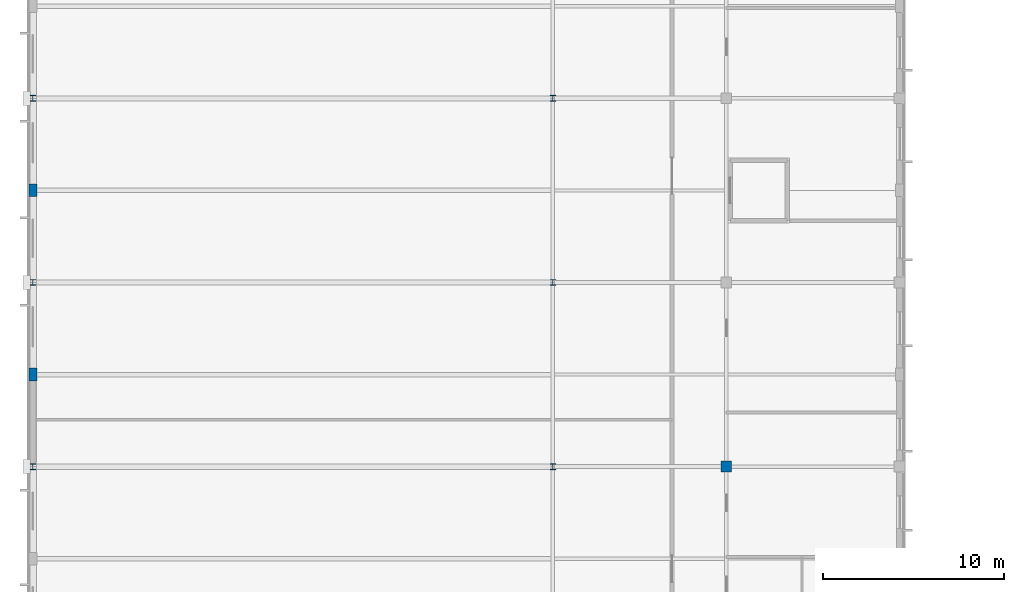
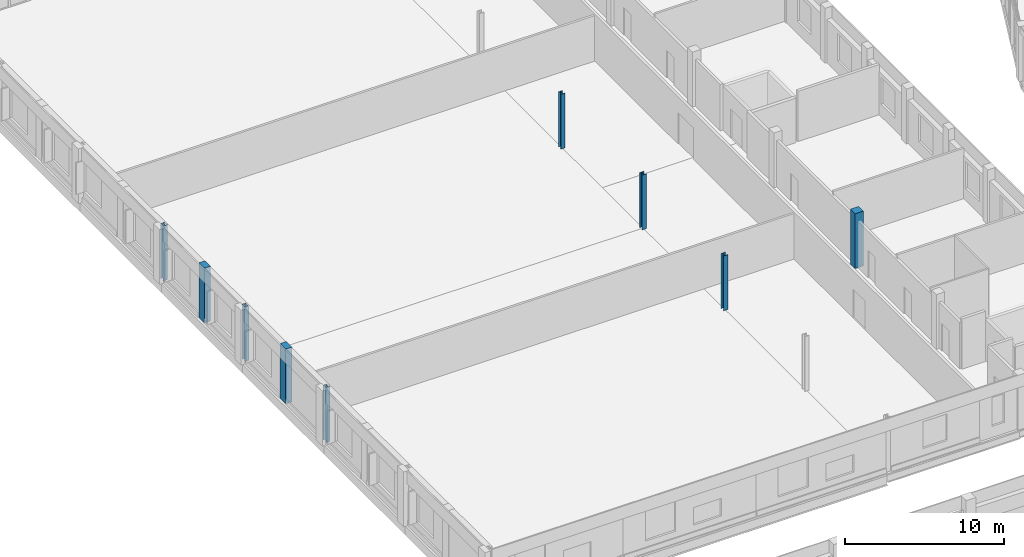
# One storey, part 6 of 185: 9 columns.
"""IFC4 building model written with IfcOpenShell, lengths in metres."""

import ifcopenshell
import ifcopenshell.guid

model = None  # the IFC model being written
_history = None  # IfcOwnerHistory: only IFC2X3 demands one
_inside = {}  # id of a spatial element -> (the spatial element, [elements in it])
_under = {}  # id of a project, library or spatial element -> (it, [spatial elements below it])
_declared = {}  # id of a project -> (the project, [libraries it declares])
_typed = {}  # id of a type object -> (the type object, [elements of that type])
_made_of = {}  # id of a material, layer set ... -> (it, [elements and type objects made of it])


def new_model(schema):
    """Start an empty IFC model of exactly this schema.

    Asked for "IFC4X3", IfcOpenShell would pick the latest addendum, in which some entities
    have other attributes; the version numbers below select the first issue.
    IFC2X3 requires an IfcOwnerHistory on every rooted entity: one is made here for all.
    """
    global model, _history
    if schema == "IFC4X3":
        model = ifcopenshell.file(schema_version=(4, 3, 0, 0))
    else:
        model = ifcopenshell.file(schema=schema)
    _inside.clear()
    _under.clear()
    _declared.clear()
    _typed.clear()
    _made_of.clear()
    _history = None
    if model.schema == "IFC2X3":
        org = make("IfcOrganization", Name="unknown")
        user = make(
            "IfcPersonAndOrganization",
            ThePerson=make("IfcPerson", FamilyName="unknown"),
            TheOrganization=org,
        )
        app = make(
            "IfcApplication",
            ApplicationDeveloper=org,
            Version="unknown",
            ApplicationFullName="unknown",
            ApplicationIdentifier="unknown",
        )
        _history = make(
            "IfcOwnerHistory",
            OwningUser=user,
            OwningApplication=app,
            ChangeAction="ADDED",
            CreationDate=0,
        )
    return model


def make(cls, **values):
    """One entity of the class cls with the attributes given. An attribute that is None is left unset."""
    return model.create_entity(
        cls, **{name: value for name, value in values.items() if value is not None}
    )


def rooted(cls, **values):
    """An entity with a GlobalId (a new one), such as an element, a storey or a relation."""
    return make(cls, GlobalId=ifcopenshell.guid.new(), OwnerHistory=_history, **values)


def si_unit(unit_type, name, prefix=None):
    """IfcSIUnit, for example si_unit("LENGTHUNIT", "METRE", prefix="MILLI")."""
    return make("IfcSIUnit", UnitType=unit_type, Prefix=prefix, Name=name)


def assignment(units):
    """IfcUnitAssignment: the units of a project."""
    return None if units is None else make("IfcUnitAssignment", Units=units)


def point(xyz):
    """IfcCartesianPoint."""
    return None if xyz is None else make("IfcCartesianPoint", Coordinates=xyz)


def direction(xyz):
    """IfcDirection."""
    return None if xyz is None else make("IfcDirection", DirectionRatios=xyz)


def frame(location, z_axis=None, x_axis=None):
    """IfcAxis2Placement3D, a coordinate frame: its origin and axes. An axis left out is left unset."""
    return make(
        "IfcAxis2Placement3D",
        Location=point(location),
        Axis=direction(z_axis),
        RefDirection=direction(x_axis),
    )


def frame_2d(location, x_axis=None):
    """IfcAxis2Placement2D, a coordinate frame in the plane: its origin and x axis."""
    return make(
        "IfcAxis2Placement2D", Location=point(location), RefDirection=direction(x_axis)
    )


def origin():
    """The frame at (0, 0, 0) with its axes left unset."""
    return frame((0.0, 0.0, 0.0))


def origin_2d():
    """The frame at (0, 0) in the plane with its x axis left unset."""
    return frame_2d((0.0, 0.0))


def place(relative_to, where):
    """IfcLocalPlacement: puts the frame where relative to a parent placement (None: the world)."""
    return make(
        "IfcLocalPlacement", PlacementRelTo=relative_to, RelativePlacement=where
    )


def context(
    kind, dimensions, precision=None, world=None, true_north=None, identifier=None
):
    """IfcGeometricRepresentationContext, for example the 3D "Model" context."""
    return make(
        "IfcGeometricRepresentationContext",
        ContextIdentifier=identifier,
        ContextType=kind,
        CoordinateSpaceDimension=dimensions,
        Precision=precision,
        WorldCoordinateSystem=world,
        TrueNorth=true_north,
    )


def subcontext(parent, identifier, kind, view, scale=None):
    """IfcGeometricRepresentationSubContext, for example "Body" below "Model"."""
    return make(
        "IfcGeometricRepresentationSubContext",
        ContextIdentifier=identifier,
        ContextType=kind,
        ParentContext=parent,
        TargetScale=scale,
        TargetView=view,
    )


def project(units=None, contexts=None):
    """IfcProject with its units and contexts."""
    return rooted(
        "IfcProject",
        Name="project",
        RepresentationContexts=contexts,
        UnitsInContext=assignment(units),
    )


def spatial(cls, under=None, at=None, **own):
    """A site, building, storey or space (cls), placed at a placement, below another one or the project."""
    s = rooted(cls, ObjectPlacement=at, **own)
    if under is not None:
        _under.setdefault(under.id(), (under, []))[1].append(s)
    return s


def profile(cls, at=None, kind="AREA", **sizes):
    """A parametric profile (cls). Its sizes go by their IFC names, for example OverallWidth=200.0."""
    return make(cls, ProfileType=kind, Position=at, **sizes)


def rectangle(**sizes):
    """IfcRectangleProfileDef."""
    return profile("IfcRectangleProfileDef", **sizes)


def i_section(**sizes):
    """IfcIShapeProfileDef."""
    return profile("IfcIShapeProfileDef", **sizes)


def extrude(swept, where, along, depth):
    """IfcExtrudedAreaSolid: the profile swept, set in the frame where, extruded along a direction by depth."""
    return make(
        "IfcExtrudedAreaSolid",
        SweptArea=swept,
        Position=where,
        ExtrudedDirection=direction(along),
        Depth=depth,
    )


def shape(context_of_items, identifier, shape_type, items):
    """IfcShapeRepresentation: the items that make up one representation, for example the "Body"."""
    return make(
        "IfcShapeRepresentation",
        ContextOfItems=context_of_items,
        RepresentationIdentifier=identifier,
        RepresentationType=shape_type,
        Items=items,
    )


def material(Name=None, Category=None):
    """IfcMaterial."""
    return make("IfcMaterial", Name=Name, Category=Category)


def material_profile(
    of_material, cross_section, Name=None, Category=None, Priority=None
):
    """IfcMaterialProfile: a cross section and its material."""
    return make(
        "IfcMaterialProfile",
        Name=Name,
        Material=of_material,
        Profile=cross_section,
        Priority=Priority,
        Category=Category,
    )


def profile_set(profiles, Name=None, composite=None):
    """IfcMaterialProfileSet."""
    return make(
        "IfcMaterialProfileSet",
        Name=Name,
        MaterialProfiles=profiles,
        CompositeProfile=composite,
    )


def made_of(thing, what):
    """Note that an element or type object is made of a material, layer set ...; save() writes the relation."""
    if what is not None:
        _made_of.setdefault(what.id(), (what, []))[1].append(thing)
    return thing


def type_object(cls, material=None, **own):
    """A type object (cls), such as IfcWallType, which elements share."""
    return made_of(rooted(cls, **own), material)


def element(
    cls,
    number,
    at=None,
    inside=None,
    cuts=None,
    type_object=None,
    material=None,
    context=None,
    identifier="Body",
    shape_type=None,
    held_by="IfcProductDefinitionShape",
    body=None,
    shapes=None,
    **own,
):
    """One element of the class cls, such as IfcWall. Its Tag is "e" and its number.

    at: its placement. inside: the storey or other place that contains it. cuts: it is an
    opening in that element (IfcRelVoidsElement). A single representation is given by context,
    identifier, shape_type and body (its items); several are given by shapes. held_by: the class
    of the entity that holds the representations. save() writes the other relations.
    """
    e = rooted(cls, Tag="e%d" % number, ObjectPlacement=at, **own)
    if body is not None:
        shapes = [shape(context, identifier, shape_type, body)]
    if shapes is not None:
        e.Representation = make(held_by, Representations=shapes)
    if inside is not None:
        _inside.setdefault(inside.id(), (inside, []))[1].append(e)
    if cuts is not None:
        rooted(
            "IfcRelVoidsElement", RelatingBuildingElement=cuts, RelatedOpeningElement=e
        )
    if type_object is not None:
        _typed.setdefault(type_object.id(), (type_object, []))[1].append(e)
    return made_of(e, material)


def aggregate(whole, parts):
    """IfcRelAggregates: a whole, such as a stair, and the parts it consists of."""
    return rooted("IfcRelAggregates", RelatingObject=whole, RelatedObjects=parts)


def save(model, path):
    """Write the relations noted so far, then the file.

    IfcRelAggregates (storeys below a building ...), IfcRelContainedInSpatialStructure (elements
    in a storey), IfcRelDefinesByType, IfcRelAssociatesMaterial and IfcRelDeclares: one each for
    every whole, place, type object, material and project.
    """
    for whole, parts in _under.values():
        aggregate(whole, parts)
    for where, things in _inside.values():
        rooted(
            "IfcRelContainedInSpatialStructure",
            RelatedElements=things,
            RelatingStructure=where,
        )
    for kind, things in _typed.values():
        rooted("IfcRelDefinesByType", RelatedObjects=things, RelatingType=kind)
    for what, things in _made_of.values():
        rooted("IfcRelAssociatesMaterial", RelatedObjects=things, RelatingMaterial=what)
    for by, libraries in _declared.values():
        rooted("IfcRelDeclares", RelatingContext=by, RelatedDefinitions=libraries)
    model.write(path)


model = new_model("IFC4")

# Units and contexts
model_context = context("Model", 3, precision=1e-05, world=origin(), true_north=direction((0.0, 1.0)))
body_context = subcontext(model_context, "Body", "Model", "MODEL_VIEW")
ifc_project = project(units=[si_unit("LENGTHUNIT", "METRE"), si_unit("AREAUNIT", "SQUARE_METRE"), si_unit("VOLUMEUNIT", "CUBIC_METRE"), si_unit("PLANEANGLEUNIT", "RADIAN"), si_unit("MASSUNIT", "GRAM", prefix="KILO")], contexts=[model_context])

# Site, building, storey
site_placement = place(None, origin())
site = spatial("IfcSite", under=ifc_project, at=site_placement, CompositionType="ELEMENT")
building_placement = place(site_placement, origin())
building = spatial("IfcBuilding", under=site, at=building_placement, Name="Vondelvale Polytechnic", CompositionType="ELEMENT")
storey_placement = place(building_placement, frame((0.0, 0.0, 9.60009765625)))
storey = spatial("IfcBuildingStorey", under=building, at=storey_placement, Name="L02", CompositionType="ELEMENT", Elevation=9.60009765625)

# Columns
ifc_material_1 = material(Name="Concrete N50 (f'c = 50 MPa)", Category="concrete")
ifc_material_profile_1 = material_profile(ifc_material_1, rectangle(XDim=0.60009765625, YDim=0.60009765625, at=origin_2d()), Name="RC-COL-600x600")
ifc_profile_set_1 = profile_set([ifc_material_profile_1], Name="Concrete N50 (f'c = 50 MPa)")
column_type_1 = type_object("IfcColumnType", Name="COL-RC600", PredefinedType="COLUMN", material=ifc_profile_set_1)
column_placement = place(storey_placement, frame((38.39990234375, 71.39990234375, 0.0), z_axis=(0.0, 0.0, 1.0), x_axis=(1.0, 0.0, 0.0)))
element("IfcColumn", 1, at=column_placement, inside=storey, type_object=column_type_1, Name="L02 workshop column (38.4,71.4)", PredefinedType="COLUMN", context=body_context, shape_type="SweptSolid", body=[
    extrude(rectangle(XDim=0.60009765625, YDim=0.60009765625, at=origin_2d()), origin(), (0.0, 0.0, 1.0), 4.199951171875),
])
ifc_material_2 = material(Name="Steel 300PLUS (fy = 300 MPa)", Category="steel")
ifc_material_profile_2 = material_profile(ifc_material_2, i_section(OverallWidth=0.31103515625, OverallDepth=0.326904296875, WebThickness=0.015625, FlangeThickness=0.02490234375, FilletRadius=0.0166015625, at=origin_2d()), Name="310UC158")
ifc_profile_set_2 = profile_set([ifc_material_profile_2], Name="Steel 300PLUS (fy = 300 MPa)")
column_type_2 = type_object("IfcColumnType", Name="COL-UC310H", PredefinedType="COLUMN", material=ifc_profile_set_2)
for number, where, z_axis, x_axis, name in (
    (2, (0.0, 71.39990234375, 0.0), (0.0, 0.0, 1.0), (1.0, 0.0, 0.0), "L02 workshop column (0.0,71.4)"),
    (3, (28.800048828125, 71.39990234375, 0.0), (0.0, 0.0, 1.0), (1.0, 0.0, 0.0), "L02 workshop column (28.8,71.4)"),
    (4, (0.0, 81.60009765625, 0.0), (0.0, 0.0, 1.0), (1.0, 0.0, 0.0), "L02 workshop column (0.0,81.6)"),
    (5, (28.800048828125, 81.60009765625, 0.0), (0.0, 0.0, 1.0), (1.0, 0.0, 0.0), "L02 workshop column (28.8,81.6)"),
    (6, (0.0, 91.800048828125, 0.0), (0.0, 0.0, 1.0), (1.0, 0.0, 0.0), "L02 workshop column (0.0,91.8)"),
    (7, (28.800048828125, 91.800048828125, 0.0), (0.0, 0.0, 1.0), (1.0, 0.0, 0.0), "L02 workshop column (28.8,91.8)"),
):
    element("IfcColumn", number, at=place(storey_placement, frame(where, z_axis=z_axis, x_axis=x_axis)), inside=storey, type_object=column_type_2, Name=name, PredefinedType="COLUMN", context=body_context, shape_type="SweptSolid", body=[
        extrude(i_section(OverallWidth=0.31103515625, OverallDepth=0.326904296875, WebThickness=0.015625, FlangeThickness=0.02490234375, FilletRadius=0.0166015625, at=origin_2d()), origin(), (0.0, 0.0, 1.0), 4.199951171875),
    ])
ifc_material_profile_3 = material_profile(ifc_material_1, rectangle(XDim=0.449951171875, YDim=0.699951171875, at=origin_2d()), Name="RC-PIL-700x450")
ifc_profile_set_3 = profile_set([ifc_material_profile_3], Name="Concrete N50 (f'c = 50 MPa)")
column_type_3 = type_object("IfcColumnType", Name="PIL-RC700x450", PredefinedType="PILASTER", material=ifc_profile_set_3)
for number, where, z_axis, x_axis, name in (
    (8, (0.0, 76.5, 0.0), (0.0, 0.0, 1.0), (1.0, 0.0, 0.0), "L02 West workshop brick pilaster 3"),
    (9, (0.0, 86.699951171875, 0.0), (0.0, 0.0, 1.0), (1.0, 0.0, 0.0), "L02 West workshop brick pilaster 4"),
):
    element("IfcColumn", number, at=place(storey_placement, frame(where, z_axis=z_axis, x_axis=x_axis)), inside=storey, type_object=column_type_3, Name=name, PredefinedType="PILASTER", context=body_context, shape_type="SweptSolid", body=[
        extrude(rectangle(XDim=0.449951171875, YDim=0.699951171875, at=origin_2d()), origin(), (0.0, 0.0, 1.0), 4.199951171875),
    ])

save(model, "model.ifc")
